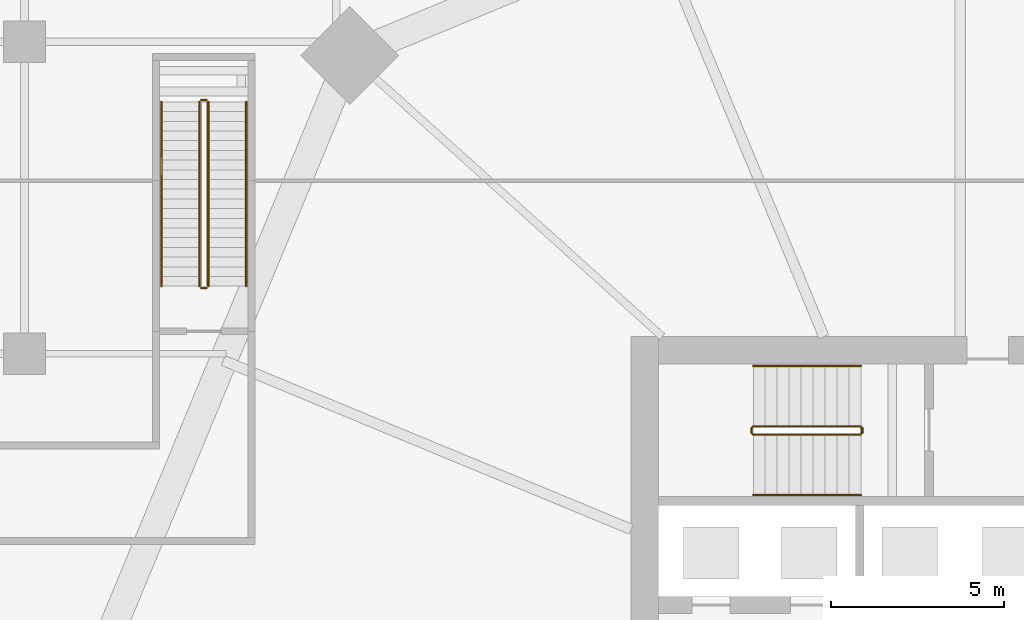
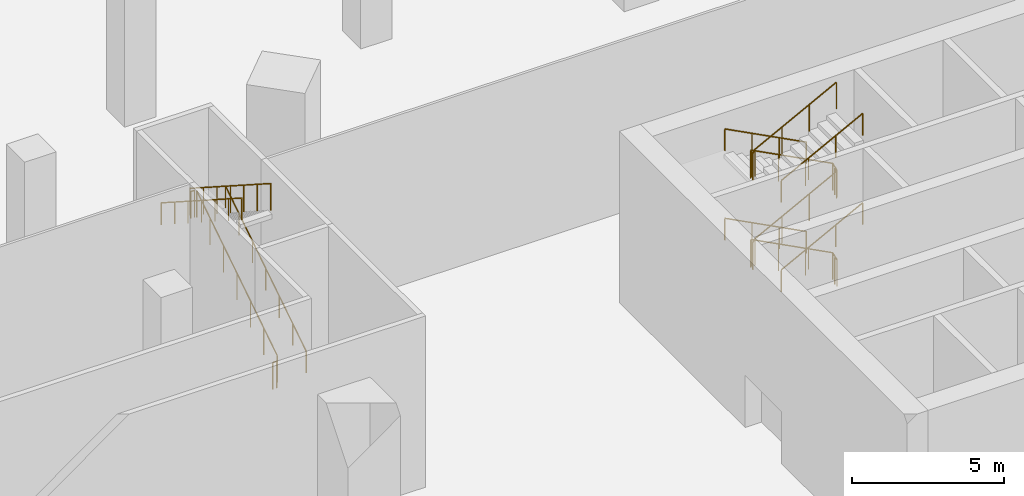
# One storey, part 38 of 48: 11 railings.
"""IFC4 building model written with IfcOpenShell, lengths in metres."""

from ifc_helpers import new_model, si_unit, direction, frame, origin, origin_2d, place, context, subcontext, project, spatial, circle, extrude, material, type_object, element, save


model = new_model("IFC4")

# Units and contexts
model_context = context("Model", 3, precision=1e-05, world=origin(), true_north=direction((0.0, 1.0)))
body_context = subcontext(model_context, "Body", "Model", "MODEL_VIEW")
ifc_project = project(units=[si_unit("LENGTHUNIT", "METRE"), si_unit("AREAUNIT", "SQUARE_METRE"), si_unit("VOLUMEUNIT", "CUBIC_METRE"), si_unit("PLANEANGLEUNIT", "RADIAN"), si_unit("MASSUNIT", "GRAM", prefix="KILO")], contexts=[model_context])

# Site, building, storey
site_placement = place(None, origin())
site = spatial("IfcSite", under=ifc_project, at=site_placement, CompositionType="ELEMENT")
building_placement = place(site_placement, origin())
building = spatial("IfcBuilding", under=site, at=building_placement, Name="Ogive Gate Towers", CompositionType="ELEMENT")
storey_placement = place(building_placement, origin())
storey = spatial("IfcBuildingStorey", under=building, at=storey_placement, Name="L00", CompositionType="ELEMENT", Elevation=0.0)

# Railings
ifc_material_1 = material(Name="Steel and glass guard", Category="steel")
railing_type_1 = type_object("IfcRailingType", Name="Podium stair guard 1100", PredefinedType="GUARDRAIL", material=ifc_material_1)
railing_1_placement = place(storey_placement, frame((-57.699951171875, 10.949951171875, 0.179931640625)))
element("IfcRailing", 1, at=railing_1_placement, inside=storey, type_object=railing_type_1, Name="L00 PS1 stair guard 1", PredefinedType="GUARDRAIL", context=body_context, shape_type="SweptSolid", body=[
    extrude(circle(Radius=0.02392578125, at=origin_2d()), frame((0.0, 0.0, 1.076171875), z_axis=(0.0, 0.841169695817, 0.540771248162), x_axis=(-1.0, 0.0, 0.0)), (0.0, 0.0, 1.0), 6.32470703125),
    extrude(circle(Radius=0.02099609375, at=origin_2d()), origin(), (0.0, 0.0, 1.0), 1.052001953125),
    extrude(circle(Radius=0.02099609375, at=origin_2d()), frame((0.0, 0.88671875, 0.570068359375)), (0.0, 0.0, 1.0), 1.052001953125),
    extrude(circle(Radius=0.02099609375, at=origin_2d()), frame((0.0, 1.7734375, 1.14013671875)), (0.0, 0.0, 1.0), 1.052001953125),
    extrude(circle(Radius=0.02099609375, at=origin_2d()), frame((0.0, 2.66015625, 1.7099609375)), (0.0, 0.0, 1.0), 1.052001953125),
    extrude(circle(Radius=0.02099609375, at=origin_2d()), frame((0.0, 3.546630859375, 2.280029296875)), (0.0, 0.0, 1.0), 1.052001953125),
    extrude(circle(Radius=0.02099609375, at=origin_2d()), frame((0.0, 4.433349609375, 2.85009765625)), (0.0, 0.0, 1.0), 1.052001953125),
    extrude(circle(Radius=0.02099609375, at=origin_2d()), frame((0.0, 5.320068359375, 3.420166015625)), (0.0, 0.0, 1.0), 1.052001953125),
])
railing_2_placement = place(storey_placement, frame((-57.75, 16.320068359375, 3.60009765625)))
element("IfcRailing", 2, at=railing_2_placement, inside=storey, type_object=railing_type_1, Name="L00 PS1 stair guard 2", PredefinedType="GUARDRAIL", context=body_context, shape_type="SweptSolid", body=[
    extrude(circle(Radius=0.02392578125, at=origin_2d()), frame((0.0, 0.0, 1.076171875), z_axis=(-1.0, 0.0, 0.0), x_axis=(0.0, -1.0, 0.0)), (0.0, 0.0, 1.0), 0.14990234375),
    extrude(circle(Radius=0.02099609375, at=origin_2d()), origin(), (0.0, 0.0, 1.0), 1.052001953125),
    extrude(circle(Radius=0.02099609375, at=origin_2d()), frame((-0.14990234375, 0.0, 0.0)), (0.0, 0.0, 1.0), 1.052001953125),
])
railing_3_placement = place(storey_placement, frame((-57.949951171875, 16.27001953125, 3.780029296875)))
element("IfcRailing", 3, at=railing_3_placement, inside=storey, type_object=railing_type_1, Name="L00 PS1 stair guard 3", PredefinedType="GUARDRAIL", context=body_context, shape_type="SweptSolid", body=[
    extrude(circle(Radius=0.02392578125, at=origin_2d()), frame((0.0, 0.0, 1.076171875), z_axis=(0.0, -0.841187254898, 0.540743934037), x_axis=(1.0, 0.0, 0.0)), (0.0, 0.0, 1.0), 6.324462890625),
    extrude(circle(Radius=0.02099609375, at=origin_2d()), origin(), (0.0, 0.0, 1.0), 1.052001953125),
    extrude(circle(Radius=0.02099609375, at=origin_2d()), frame((0.0, -0.88671875, 0.570068359375)), (0.0, 0.0, 1.0), 1.052001953125),
    extrude(circle(Radius=0.02099609375, at=origin_2d()), frame((0.0, -1.7734375, 1.139892578125)), (0.0, 0.0, 1.0), 1.052001953125),
    extrude(circle(Radius=0.02099609375, at=origin_2d()), frame((0.0, -2.66015625, 1.7099609375)), (0.0, 0.0, 1.0), 1.052001953125),
    extrude(circle(Radius=0.02099609375, at=origin_2d()), frame((0.0, -3.546630859375, 2.280029296875)), (0.0, 0.0, 1.0), 1.052001953125),
    extrude(circle(Radius=0.02099609375, at=origin_2d()), frame((0.0, -4.433349609375, 2.849853515625)), (0.0, 0.0, 1.0), 1.052001953125),
    extrude(circle(Radius=0.02099609375, at=origin_2d()), frame((0.0, -5.320068359375, 3.419921875)), (0.0, 0.0, 1.0), 1.052001953125),
])
railing_4_placement = place(storey_placement, frame((-57.75, 10.89990234375, 0.0)))
element("IfcRailing", 4, at=railing_4_placement, inside=storey, type_object=railing_type_1, Name="L00 PS1 stair guard 4", PredefinedType="GUARDRAIL", context=body_context, shape_type="SweptSolid", body=[
    extrude(circle(Radius=0.02392578125, at=origin_2d()), frame((0.0, 0.0, 1.076171875), z_axis=(-1.0, 0.0, 0.0), x_axis=(0.0, -1.0, 0.0)), (0.0, 0.0, 1.0), 0.14990234375),
    extrude(circle(Radius=0.02099609375, at=origin_2d()), origin(), (0.0, 0.0, 1.0), 1.052001953125),
    extrude(circle(Radius=0.02099609375, at=origin_2d()), frame((-0.14990234375, 0.0, 0.0)), (0.0, 0.0, 1.0), 1.052001953125),
])
ifc_material_2 = material(Name="Stainless steel handrail", Category="steel")
railing_type_2 = type_object("IfcRailingType", Name="Podium stair handrail 900", PredefinedType="HANDRAIL", material=ifc_material_2)
railing_5_placement = place(storey_placement, frame((-56.60009765625, 10.949951171875, 0.179931640625)))
element("IfcRailing", 5, at=railing_5_placement, inside=storey, type_object=railing_type_2, Name="L00 PS1 stair handrail 1", PredefinedType="HANDRAIL", context=body_context, shape_type="SweptSolid", body=[
    extrude(circle(Radius=0.02392578125, at=origin_2d()), frame((0.0, 0.0, 0.8759765625), z_axis=(0.0, 0.841169695817, 0.540771248162), x_axis=(-1.0, 0.0, 0.0)), (0.0, 0.0, 1.0), 6.32470703125),
    extrude(circle(Radius=0.02099609375, at=origin_2d()), origin(), (0.0, 0.0, 1.0), 0.851806640625),
    extrude(circle(Radius=0.02099609375, at=origin_2d()), frame((0.0, 0.88671875, 0.570068359375)), (0.0, 0.0, 1.0), 0.851806640625),
    extrude(circle(Radius=0.02099609375, at=origin_2d()), frame((0.0, 1.7734375, 1.14013671875)), (0.0, 0.0, 1.0), 0.851806640625),
    extrude(circle(Radius=0.02099609375, at=origin_2d()), frame((0.0, 2.66015625, 1.7099609375)), (0.0, 0.0, 1.0), 0.851806640625),
    extrude(circle(Radius=0.02099609375, at=origin_2d()), frame((0.0, 3.546630859375, 2.280029296875)), (0.0, 0.0, 1.0), 0.851806640625),
    extrude(circle(Radius=0.02099609375, at=origin_2d()), frame((0.0, 4.433349609375, 2.85009765625)), (0.0, 0.0, 1.0), 0.851806640625),
    extrude(circle(Radius=0.02099609375, at=origin_2d()), frame((0.0, 5.320068359375, 3.420166015625)), (0.0, 0.0, 1.0), 0.851806640625),
])
railing_6_placement = place(storey_placement, frame((-59.050048828125, 16.27001953125, 3.780029296875)))
element("IfcRailing", 6, at=railing_6_placement, inside=storey, type_object=railing_type_2, Name="L00 PS1 stair handrail 2", PredefinedType="HANDRAIL", context=body_context, shape_type="SweptSolid", body=[
    extrude(circle(Radius=0.02392578125, at=origin_2d()), frame((0.0, 0.0, 0.8759765625), z_axis=(0.0, -0.841187254898, 0.540743934037), x_axis=(1.0, 0.0, 0.0)), (0.0, 0.0, 1.0), 6.324462890625),
    extrude(circle(Radius=0.02099609375, at=origin_2d()), origin(), (0.0, 0.0, 1.0), 0.851806640625),
    extrude(circle(Radius=0.02099609375, at=origin_2d()), frame((0.0, -0.88671875, 0.570068359375)), (0.0, 0.0, 1.0), 0.851806640625),
    extrude(circle(Radius=0.02099609375, at=origin_2d()), frame((0.0, -1.7734375, 1.139892578125)), (0.0, 0.0, 1.0), 0.851806640625),
    extrude(circle(Radius=0.02099609375, at=origin_2d()), frame((0.0, -2.66015625, 1.7099609375)), (0.0, 0.0, 1.0), 0.851806640625),
    extrude(circle(Radius=0.02099609375, at=origin_2d()), frame((0.0, -3.546630859375, 2.280029296875)), (0.0, 0.0, 1.0), 0.851806640625),
    extrude(circle(Radius=0.02099609375, at=origin_2d()), frame((0.0, -4.433349609375, 2.849853515625)), (0.0, 0.0, 1.0), 0.851806640625),
    extrude(circle(Radius=0.02099609375, at=origin_2d()), frame((0.0, -5.320068359375, 3.419921875)), (0.0, 0.0, 1.0), 0.851806640625),
])
ifc_material_3 = material(Name="Stainless steel", Category="steel")
railing_type_3 = type_object("IfcRailingType", Name="Stair guard 1100", PredefinedType="GUARDRAIL", material=ifc_material_3)
railing_7_placement = place(storey_placement, frame((-38.81494140625, 6.860107421875, 0.0)))
element("IfcRailing", 7, at=railing_7_placement, inside=storey, type_object=railing_type_3, Name="L00 ST1 stair guard 1", PredefinedType="GUARDRAIL", context=body_context, shape_type="SweptSolid", body=[
    extrude(circle(Radius=0.02392578125, at=origin_2d()), frame((0.0, 0.0, 1.076171875), z_axis=(0.0, -1.0, 0.0), x_axis=(1.0, 0.0, 0.0)), (0.0, 0.0, 1.0), 0.14501953125),
    extrude(circle(Radius=0.02392578125, at=origin_2d()), frame((0.0, -0.14501953125, 1.076171875), z_axis=(-0.185446488196, 0.721884378442, 0.666702740491), x_axis=(-0.968551454522, -0.24881334358, 0.0)), (0.0, 0.0, 1.0), 0.269775390625),
    extrude(circle(Radius=0.02392578125, at=origin_2d()), frame((-0.050048828125, 0.0498046875, 1.255859375), z_axis=(-0.886569930074, 0.0, 0.462594594746), x_axis=(0.0, -1.0, 0.0)), (0.0, 0.0, 1.0), 3.502197265625),
    extrude(circle(Radius=0.02392578125, at=origin_2d()), frame((-3.155029296875, 0.0498046875, 2.8759765625), z_axis=(-0.708833529934, -0.705375805398, 0.0), x_axis=(0.705375805398, -0.708833529934, 0.0)), (0.0, 0.0, 1.0), 0.070556640625),
    extrude(circle(Radius=0.02392578125, at=origin_2d()), frame((-3.205078125, 0.0, 2.8759765625), z_axis=(0.0, -1.0, 0.0), x_axis=(1.0, 0.0, 0.0)), (0.0, 0.0, 1.0), 0.14501953125),
    extrude(circle(Radius=0.02392578125, at=origin_2d()), frame((-3.205078125, -0.14501953125, 2.8759765625), z_axis=(0.258847668887, -0.258847668887, 0.930588936439), x_axis=(0.707106781187, 0.707106781187, 0.0)), (0.0, 0.0, 1.0), 0.193359375),
    extrude(circle(Radius=0.02392578125, at=origin_2d()), frame((-3.155029296875, -0.195068359375, 3.05615234375), z_axis=(0.886569930074, 0.0, 0.462594594746), x_axis=(0.0, 1.0, 0.0)), (0.0, 0.0, 1.0), 3.502197265625),
    extrude(circle(Radius=0.02392578125, at=origin_2d()), frame((-0.050048828125, -0.195068359375, 4.67626953125), z_axis=(0.248521182245, 0.96862646153, 0.0), x_axis=(-0.96862646153, 0.248521182245, 0.0)), (0.0, 0.0, 1.0), 0.201416015625),
    extrude(circle(Radius=0.02392578125, at=origin_2d()), frame((0.0, 0.0, 4.67626953125), z_axis=(0.0, -1.0, 0.0), x_axis=(1.0, 0.0, 0.0)), (0.0, 0.0, 1.0), 0.14501953125),
    extrude(circle(Radius=0.02392578125, at=origin_2d()), frame((0.0, -0.14501953125, 4.67626953125), z_axis=(-0.185446488196, 0.721884378442, 0.666702740491), x_axis=(-0.968551454522, -0.24881334358, 0.0)), (0.0, 0.0, 1.0), 0.269775390625),
    extrude(circle(Radius=0.02392578125, at=origin_2d()), frame((-0.050048828125, 0.0498046875, 4.85595703125), z_axis=(-0.88659851888, 0.0, 0.462539799714), x_axis=(0.0, -1.0, 0.0)), (0.0, 0.0, 1.0), 3.502197265625),
    extrude(circle(Radius=0.02392578125, at=origin_2d()), frame((-3.155029296875, 0.0498046875, 6.47607421875), z_axis=(-0.708833529934, -0.705375805398, 0.0), x_axis=(0.705375805398, -0.708833529934, 0.0)), (0.0, 0.0, 1.0), 0.070556640625),
    extrude(circle(Radius=0.02392578125, at=origin_2d()), frame((-3.205078125, 0.0, 6.47607421875), z_axis=(0.0, -1.0, 0.0), x_axis=(1.0, 0.0, 0.0)), (0.0, 0.0, 1.0), 0.14501953125),
    extrude(circle(Radius=0.02392578125, at=origin_2d()), frame((-3.205078125, -0.14501953125, 6.47607421875), z_axis=(0.258543844998, -0.258543844998, 0.930757841991), x_axis=(0.707106781187, 0.707106781187, 0.0)), (0.0, 0.0, 1.0), 0.193603515625),
    extrude(circle(Radius=0.02392578125, at=origin_2d()), frame((-3.155029296875, -0.195068359375, 6.65625), z_axis=(0.88659851888, 0.0, 0.462539799714), x_axis=(0.0, 1.0, 0.0)), (0.0, 0.0, 1.0), 3.502197265625),
    extrude(circle(Radius=0.02099609375, at=origin_2d()), origin(), (0.0, 0.0, 1.0), 1.052001953125),
    extrude(circle(Radius=0.02099609375, at=origin_2d()), frame((0.0, -0.14501953125, 0.0)), (0.0, 0.0, 1.0), 1.052001953125),
    extrude(circle(Radius=0.02099609375, at=origin_2d()), frame((-0.050048828125, 0.0498046875, 0.179931640625)), (0.0, 0.0, 1.0), 1.052001953125),
    extrude(circle(Radius=0.02099609375, at=origin_2d()), frame((-1.0849609375, 0.0498046875, 0.719970703125)), (0.0, 0.0, 1.0), 1.052001953125),
    extrude(circle(Radius=0.02099609375, at=origin_2d()), frame((-2.1201171875, 0.0498046875, 1.260009765625)), (0.0, 0.0, 1.0), 1.052001953125),
    extrude(circle(Radius=0.02099609375, at=origin_2d()), frame((-3.155029296875, 0.0498046875, 1.800048828125)), (0.0, 0.0, 1.0), 1.052001953125),
    extrude(circle(Radius=0.02099609375, at=origin_2d()), frame((-3.205078125, 0.0, 1.800048828125)), (0.0, 0.0, 1.0), 1.052001953125),
    extrude(circle(Radius=0.02099609375, at=origin_2d()), frame((-3.205078125, -0.14501953125, 1.800048828125)), (0.0, 0.0, 1.0), 1.052001953125),
    extrude(circle(Radius=0.02099609375, at=origin_2d()), frame((-3.155029296875, -0.195068359375, 1.97998046875)), (0.0, 0.0, 1.0), 1.052001953125),
    extrude(circle(Radius=0.02099609375, at=origin_2d()), frame((-2.1201171875, -0.195068359375, 2.52001953125)), (0.0, 0.0, 1.0), 1.052001953125),
    extrude(circle(Radius=0.02099609375, at=origin_2d()), frame((-1.0849609375, -0.195068359375, 3.06005859375)), (0.0, 0.0, 1.0), 1.052001953125),
    extrude(circle(Radius=0.02099609375, at=origin_2d()), frame((-0.050048828125, -0.195068359375, 3.60009765625)), (0.0, 0.0, 1.0), 1.052001953125),
    extrude(circle(Radius=0.02099609375, at=origin_2d()), frame((0.0, 0.0, 3.60009765625)), (0.0, 0.0, 1.0), 1.052001953125),
    extrude(circle(Radius=0.02099609375, at=origin_2d()), frame((0.0, -0.14501953125, 3.60009765625)), (0.0, 0.0, 1.0), 1.052001953125),
    extrude(circle(Radius=0.02099609375, at=origin_2d()), frame((-0.050048828125, 0.0498046875, 3.780029296875)), (0.0, 0.0, 1.0), 1.052001953125),
    extrude(circle(Radius=0.02099609375, at=origin_2d()), frame((-1.0849609375, 0.0498046875, 4.320068359375)), (0.0, 0.0, 1.0), 1.052001953125),
    extrude(circle(Radius=0.02099609375, at=origin_2d()), frame((-2.1201171875, 0.0498046875, 4.85986328125)), (0.0, 0.0, 1.0), 1.052001953125),
    extrude(circle(Radius=0.02099609375, at=origin_2d()), frame((-3.155029296875, 0.0498046875, 5.39990234375)), (0.0, 0.0, 1.0), 1.052001953125),
    extrude(circle(Radius=0.02099609375, at=origin_2d()), frame((-3.205078125, 0.0, 5.39990234375)), (0.0, 0.0, 1.0), 1.052001953125),
    extrude(circle(Radius=0.02099609375, at=origin_2d()), frame((-3.205078125, -0.14501953125, 5.39990234375)), (0.0, 0.0, 1.0), 1.052001953125),
    extrude(circle(Radius=0.02099609375, at=origin_2d()), frame((-3.155029296875, -0.195068359375, 5.580078125)), (0.0, 0.0, 1.0), 1.052001953125),
    extrude(circle(Radius=0.02099609375, at=origin_2d()), frame((-2.1201171875, -0.195068359375, 6.1201171875)), (0.0, 0.0, 1.0), 1.052001953125),
    extrude(circle(Radius=0.02099609375, at=origin_2d()), frame((-1.0849609375, -0.195068359375, 6.659912109375)), (0.0, 0.0, 1.0), 1.052001953125),
    extrude(circle(Radius=0.02099609375, at=origin_2d()), frame((-0.050048828125, -0.195068359375, 7.199951171875)), (0.0, 0.0, 1.0), 1.052001953125),
])
railing_type_4 = type_object("IfcRailingType", Name="Stair handrail 900", PredefinedType="HANDRAIL", material=ifc_material_3)
railing_8_placement = place(storey_placement, frame((-38.864990234375, 8.64990234375, 0.179931640625)))
element("IfcRailing", 8, at=railing_8_placement, inside=storey, type_object=railing_type_4, Name="L00 ST1 stair handrail 1", PredefinedType="HANDRAIL", context=body_context, shape_type="SweptSolid", body=[
    extrude(circle(Radius=0.02392578125, at=origin_2d()), frame((0.0, 0.0, 0.8759765625), z_axis=(-0.886569930074, 0.0, 0.462594594746), x_axis=(0.0, -1.0, 0.0)), (0.0, 0.0, 1.0), 3.502197265625),
    extrude(circle(Radius=0.02099609375, at=origin_2d()), origin(), (0.0, 0.0, 1.0), 0.851806640625),
    extrude(circle(Radius=0.02099609375, at=origin_2d()), frame((-1.034912109375, 0.0, 0.5400390625)), (0.0, 0.0, 1.0), 0.851806640625),
    extrude(circle(Radius=0.02099609375, at=origin_2d()), frame((-2.070068359375, 0.0, 1.080078125)), (0.0, 0.0, 1.0), 0.851806640625),
    extrude(circle(Radius=0.02099609375, at=origin_2d()), frame((-3.10498046875, 0.0, 1.6201171875)), (0.0, 0.0, 1.0), 0.851806640625),
])
railing_9_placement = place(storey_placement, frame((-41.969970703125, 4.925048828125, 1.97998046875)))
element("IfcRailing", 9, at=railing_9_placement, inside=storey, type_object=railing_type_4, Name="L00 ST1 stair handrail 2", PredefinedType="HANDRAIL", context=body_context, shape_type="SweptSolid", body=[
    extrude(circle(Radius=0.02392578125, at=origin_2d()), frame((0.0, 0.0, 0.8759765625), z_axis=(0.886569930074, 0.0, 0.462594594746), x_axis=(0.0, 1.0, 0.0)), (0.0, 0.0, 1.0), 3.502197265625),
    extrude(circle(Radius=0.02099609375, at=origin_2d()), origin(), (0.0, 0.0, 1.0), 0.851806640625),
    extrude(circle(Radius=0.02099609375, at=origin_2d()), frame((1.034912109375, 0.0, 0.5400390625)), (0.0, 0.0, 1.0), 0.851806640625),
    extrude(circle(Radius=0.02099609375, at=origin_2d()), frame((2.070068359375, 0.0, 1.080078125)), (0.0, 0.0, 1.0), 0.851806640625),
    extrude(circle(Radius=0.02099609375, at=origin_2d()), frame((3.10498046875, 0.0, 1.6201171875)), (0.0, 0.0, 1.0), 0.851806640625),
])
railing_10_placement = place(storey_placement, frame((-38.864990234375, 8.64990234375, 3.780029296875)))
element("IfcRailing", 10, at=railing_10_placement, inside=storey, type_object=railing_type_4, Name="L00 ST1 stair handrail 3", PredefinedType="HANDRAIL", context=body_context, shape_type="SweptSolid", body=[
    extrude(circle(Radius=0.02392578125, at=origin_2d()), frame((0.0, 0.0, 0.8759765625), z_axis=(-0.88659851888, 0.0, 0.462539799714), x_axis=(0.0, -1.0, 0.0)), (0.0, 0.0, 1.0), 3.502197265625),
    extrude(circle(Radius=0.02099609375, at=origin_2d()), origin(), (0.0, 0.0, 1.0), 0.851806640625),
    extrude(circle(Radius=0.02099609375, at=origin_2d()), frame((-1.034912109375, 0.0, 0.5400390625)), (0.0, 0.0, 1.0), 0.851806640625),
    extrude(circle(Radius=0.02099609375, at=origin_2d()), frame((-2.070068359375, 0.0, 1.079833984375)), (0.0, 0.0, 1.0), 0.851806640625),
    extrude(circle(Radius=0.02099609375, at=origin_2d()), frame((-3.10498046875, 0.0, 1.619873046875)), (0.0, 0.0, 1.0), 0.851806640625),
])
railing_11_placement = place(storey_placement, frame((-41.969970703125, 4.925048828125, 5.580078125)))
element("IfcRailing", 11, at=railing_11_placement, inside=storey, type_object=railing_type_4, Name="L00 ST1 stair handrail 4", PredefinedType="HANDRAIL", context=body_context, shape_type="SweptSolid", body=[
    extrude(circle(Radius=0.02392578125, at=origin_2d()), frame((0.0, 0.0, 0.8759765625), z_axis=(0.88659851888, 0.0, 0.462539799714), x_axis=(0.0, 1.0, 0.0)), (0.0, 0.0, 1.0), 3.502197265625),
    extrude(circle(Radius=0.02099609375, at=origin_2d()), origin(), (0.0, 0.0, 1.0), 0.851806640625),
    extrude(circle(Radius=0.02099609375, at=origin_2d()), frame((1.034912109375, 0.0, 0.5400390625)), (0.0, 0.0, 1.0), 0.851806640625),
    extrude(circle(Radius=0.02099609375, at=origin_2d()), frame((2.070068359375, 0.0, 1.079833984375)), (0.0, 0.0, 1.0), 0.851806640625),
    extrude(circle(Radius=0.02099609375, at=origin_2d()), frame((3.10498046875, 0.0, 1.619873046875)), (0.0, 0.0, 1.0), 0.851806640625),
])

save(model, "model.ifc")
